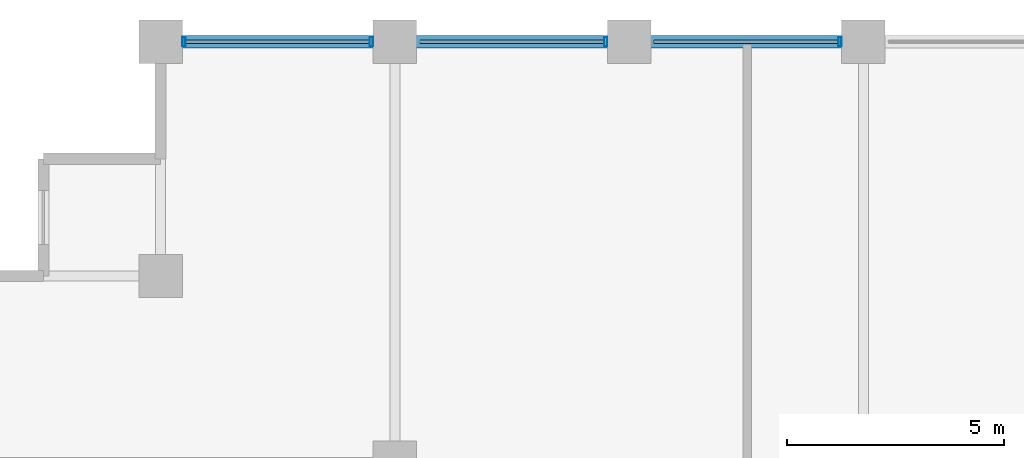
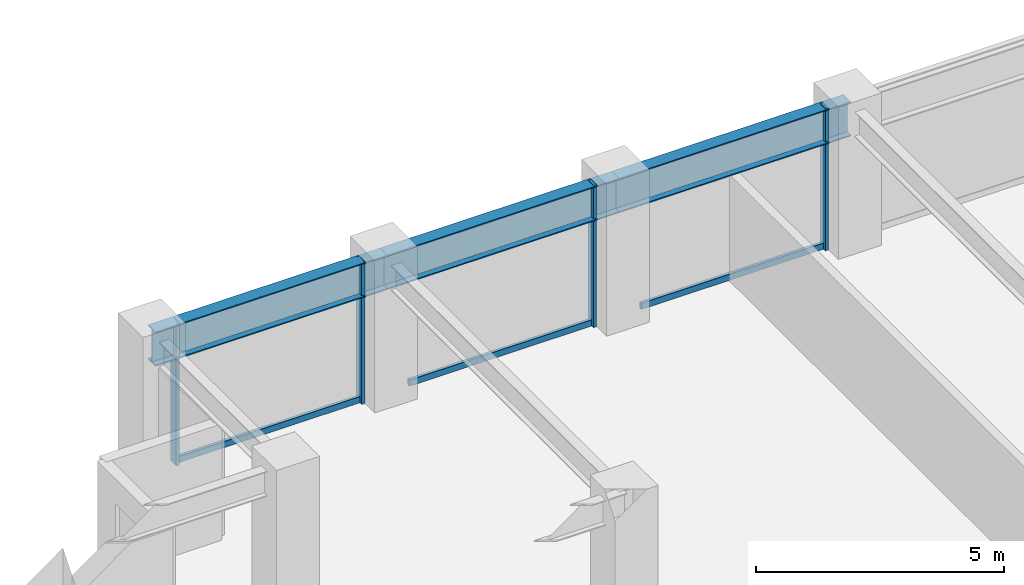
# One storey, part 14 of 29: 7 members, 3 beams, 1 element without a shape of its own.
"""IFC4 building model written with IfcOpenShell, lengths in metres."""

from ifc_helpers import new_model, si_unit, direction, frame, origin, origin_2d, place, context, subcontext, project, spatial, hollow_rectangle, i_section, extrude, material, layer, layer_set, material_profile, profile_set, type_object, element, aggregate, save


model = new_model("IFC4")

# Units and contexts
model_context = context("Model", 3, precision=1e-05, world=origin(), true_north=direction((0.0, 1.0)))
body_context = subcontext(model_context, "Body", "Model", "MODEL_VIEW")
ifc_project = project(units=[si_unit("LENGTHUNIT", "METRE"), si_unit("AREAUNIT", "SQUARE_METRE"), si_unit("VOLUMEUNIT", "CUBIC_METRE"), si_unit("PLANEANGLEUNIT", "RADIAN"), si_unit("MASSUNIT", "GRAM", prefix="KILO")], contexts=[model_context])

# Site, building, storey
site_placement = place(None, origin())
site = spatial("IfcSite", under=ifc_project, at=site_placement, CompositionType="ELEMENT")
building_placement = place(site_placement, origin())
building = spatial("IfcBuilding", under=site, at=building_placement, Name="Surkhivell Harbour Commons", CompositionType="ELEMENT")
storey_placement = place(building_placement, frame((0.0, 0.0, 158.25)))
storey = spatial("IfcBuildingStorey", under=building, at=storey_placement, Name="L41", CompositionType="ELEMENT", Elevation=158.25)

# Beams
ifc_material_1 = material(Name="Steel S460", Category="steel")
ifc_material_profile_1 = material_profile(ifc_material_1, i_section(OverallWidth=0.2939453125, OverallDepth=0.85107421875, WebThickness=0.01611328125, FlangeThickness=0.02685546875, at=origin_2d()), Name="UB838x292x226")
ifc_profile_set_1 = profile_set([ifc_material_profile_1], Name="Steel S460")
beam_type = type_object("IfcBeamType", Name="BM-SPN-838", PredefinedType="SPANDREL", material=ifc_profile_set_1)
beam_1_placement = place(storey_placement, frame((-27.0, 25.89990234375, 3.074462890625), z_axis=(1.0, 0.0, 0.0), x_axis=(0.0, 1.0, 0.0)))
element("IfcBeam", 1, at=beam_1_placement, inside=storey, type_object=beam_type, Name="L41 Tube Spandrel (-27.0,25.9)", PredefinedType="SPANDREL", context=body_context, shape_type="SweptSolid", body=[
    extrude(i_section(OverallWidth=0.2939453125, OverallDepth=0.85107421875, WebThickness=0.01611328125, FlangeThickness=0.02685546875, at=origin_2d()), origin(), (0.0, 0.0, 1.0), 5.39990234375),
])
beam_2_placement = place(storey_placement, frame((-21.60009765625, 25.89990234375, 3.074462890625), z_axis=(1.0, 0.0, 0.0), x_axis=(0.0, 1.0, 0.0)))
element("IfcBeam", 2, at=beam_2_placement, inside=storey, type_object=beam_type, Name="L41 Tube Spandrel (-21.6,25.9)", PredefinedType="SPANDREL", context=body_context, shape_type="SweptSolid", body=[
    extrude(i_section(OverallWidth=0.2939453125, OverallDepth=0.85107421875, WebThickness=0.01611328125, FlangeThickness=0.02685546875, at=origin_2d()), origin(), (0.0, 0.0, 1.0), 5.400146484375),
])
beam_3_placement = place(storey_placement, frame((-16.199951171875, 25.89990234375, 3.074462890625), z_axis=(1.0, 0.0, 0.0), x_axis=(0.0, 1.0, 0.0)))
element("IfcBeam", 3, at=beam_3_placement, inside=storey, type_object=beam_type, Name="L41 Tube Spandrel (-16.2,25.9)", PredefinedType="SPANDREL", context=body_context, shape_type="SweptSolid", body=[
    extrude(i_section(OverallWidth=0.2939453125, OverallDepth=0.85107421875, WebThickness=0.01611328125, FlangeThickness=0.02685546875, at=origin_2d()), origin(), (0.0, 0.0, 1.0), 5.39990234375),
])

# Curtain wall, members
ifc_material_2 = material(Name="Anodised pale-metal aluminium and insulated glazing", Category="aluminium")
ifc_layer = layer(ifc_material_2, 0.205078125)
ifc_layer_set = layer_set([ifc_layer], Name="Anodised pale-metal aluminium and insulated glazing")
curtain_wall_type = type_object("IfcCurtainWallType", Name="CW-SYS-Z2", PredefinedType="NOTDEFINED", material=ifc_layer_set)
curtain_wall_placement = place(storey_placement, origin())
curtain_wall = element("IfcCurtainWall", 4, at=curtain_wall_placement, inside=storey, type_object=curtain_wall_type, Name="L41 Curtain Wall CW-L41-E07S2", PredefinedType="NOTDEFINED")
ifc_material_3 = material(Name="Anodised pale-metal aluminium alloy 6063-T6", Category="aluminium")
ifc_material_profile_2 = material_profile(ifc_material_3, hollow_rectangle(XDim=0.074951171875, YDim=0.219970703125, WallThickness=0.00390625, at=origin_2d()), Name="ALU-MULL-75x220")
ifc_profile_set_2 = profile_set([ifc_material_profile_2], Name="Anodised pale-metal aluminium alloy 6063-T6")
member_type_1 = type_object("IfcMemberType", Name="CWM-220", PredefinedType="MULLION", material=ifc_profile_set_2)
member_1_placement = place(storey_placement, frame((-11.339599609375, 25.89990234375, 0.0), z_axis=(0.0, 0.0, 1.0), x_axis=(-1.0, 0.0, 0.0)))
member_1 = element("IfcMember", 5, at=member_1_placement, type_object=member_type_1, Name="CW-Z2 mullion 2", PredefinedType="MULLION", context=body_context, shape_type="SweptSolid", body=[
    extrude(hollow_rectangle(XDim=0.074951171875, YDim=0.219970703125, WallThickness=0.00390625, at=origin_2d()), origin(), (0.0, 0.0, 1.0), 3.5),
])
member_2_placement = place(storey_placement, frame((-16.739501953125, 25.89990234375, 0.0), z_axis=(0.0, 0.0, 1.0), x_axis=(-1.0, 0.0, 0.0)))
member_2 = element("IfcMember", 6, at=member_2_placement, type_object=member_type_1, Name="CW-Z2 mullion 3", PredefinedType="MULLION", context=body_context, shape_type="SweptSolid", body=[
    extrude(hollow_rectangle(XDim=0.074951171875, YDim=0.219970703125, WallThickness=0.00390625, at=origin_2d()), origin(), (0.0, 0.0, 1.0), 3.5),
])
member_3_placement = place(storey_placement, frame((-22.139404296875, 25.89990234375, 0.0), z_axis=(0.0, 0.0, 1.0), x_axis=(-1.0, 0.0, 0.0)))
member_3 = element("IfcMember", 7, at=member_3_placement, type_object=member_type_1, Name="CW-Z2 mullion 4", PredefinedType="MULLION", context=body_context, shape_type="SweptSolid", body=[
    extrude(hollow_rectangle(XDim=0.074951171875, YDim=0.219970703125, WallThickness=0.00390625, at=origin_2d()), origin(), (0.0, 0.0, 1.0), 3.5),
])
member_4_placement = place(storey_placement, frame((-26.46044921875, 25.89990234375, 0.0), z_axis=(0.0, 0.0, 1.0), x_axis=(-1.0, 0.0, 0.0)))
member_4 = element("IfcMember", 8, at=member_4_placement, type_object=member_type_1, Name="CW-Z2 mullion 5", PredefinedType="MULLION", context=body_context, shape_type="SweptSolid", body=[
    extrude(hollow_rectangle(XDim=0.074951171875, YDim=0.219970703125, WallThickness=0.00390625, at=origin_2d()), origin(), (0.0, 0.0, 1.0), 3.5),
])
ifc_material_profile_3 = material_profile(ifc_material_3, hollow_rectangle(XDim=0.074951171875, YDim=0.14990234375, WallThickness=0.00341796875, at=origin_2d()), Name="ALU-TRAN-75x150")
ifc_profile_set_3 = profile_set([ifc_material_profile_3], Name="Anodised pale-metal aluminium alloy 6063-T6")
member_type_2 = type_object("IfcMemberType", Name="CWT-150", PredefinedType="USERDEFINED", material=ifc_profile_set_3)
member_5_placement = place(storey_placement, frame((-11.376953125, 25.89990234375, 0.074951171875), z_axis=(-1.0, 0.0, 0.0), x_axis=(0.0, -1.0, 0.0)))
member_5 = element("IfcMember", 9, at=member_5_placement, type_object=member_type_2, Name="CW-Z2 transom 2.1", ObjectType="TRANSOM", PredefinedType="USERDEFINED", context=body_context, shape_type="SweptSolid", body=[
    extrude(hollow_rectangle(XDim=0.074951171875, YDim=0.14990234375, WallThickness=0.00341796875, at=origin_2d()), origin(), (0.0, 0.0, 1.0), 4.24609375),
])
member_6_placement = place(storey_placement, frame((-16.777099609375, 25.89990234375, 0.074951171875), z_axis=(-1.0, 0.0, 0.0), x_axis=(0.0, -1.0, 0.0)))
member_6 = element("IfcMember", 10, at=member_6_placement, type_object=member_type_2, Name="CW-Z2 transom 3.1", ObjectType="TRANSOM", PredefinedType="USERDEFINED", context=body_context, shape_type="SweptSolid", body=[
    extrude(hollow_rectangle(XDim=0.074951171875, YDim=0.14990234375, WallThickness=0.00341796875, at=origin_2d()), origin(), (0.0, 0.0, 1.0), 4.245849609375),
])
member_7_placement = place(storey_placement, frame((-22.177001953125, 25.89990234375, 0.074951171875), z_axis=(-1.0, 0.0, 0.0), x_axis=(0.0, -1.0, 0.0)))
member_7 = element("IfcMember", 11, at=member_7_placement, type_object=member_type_2, Name="CW-Z2 transom 4.1", ObjectType="TRANSOM", PredefinedType="USERDEFINED", context=body_context, shape_type="SweptSolid", body=[
    extrude(hollow_rectangle(XDim=0.074951171875, YDim=0.14990234375, WallThickness=0.00341796875, at=origin_2d()), origin(), (0.0, 0.0, 1.0), 4.24609375),
])
aggregate(curtain_wall, [member_1, member_5, member_2, member_6, member_3, member_4, member_7])

save(model, "model.ifc")
